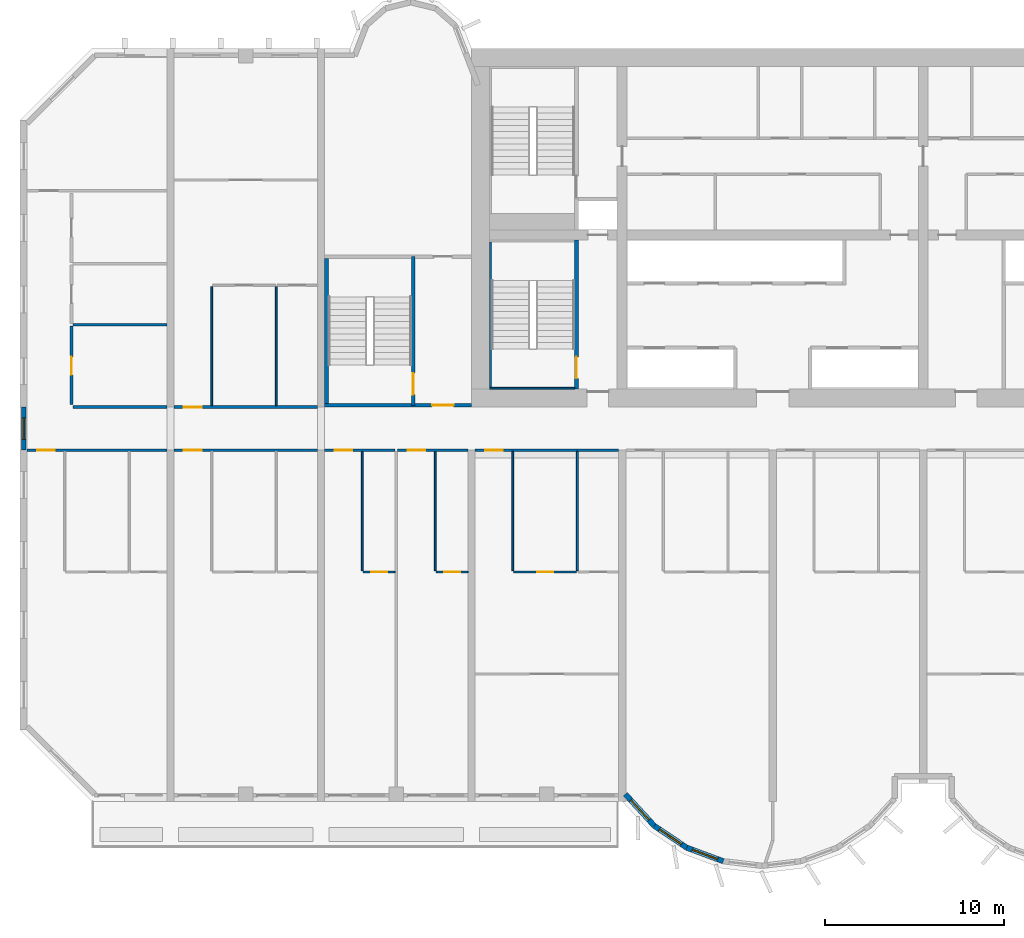
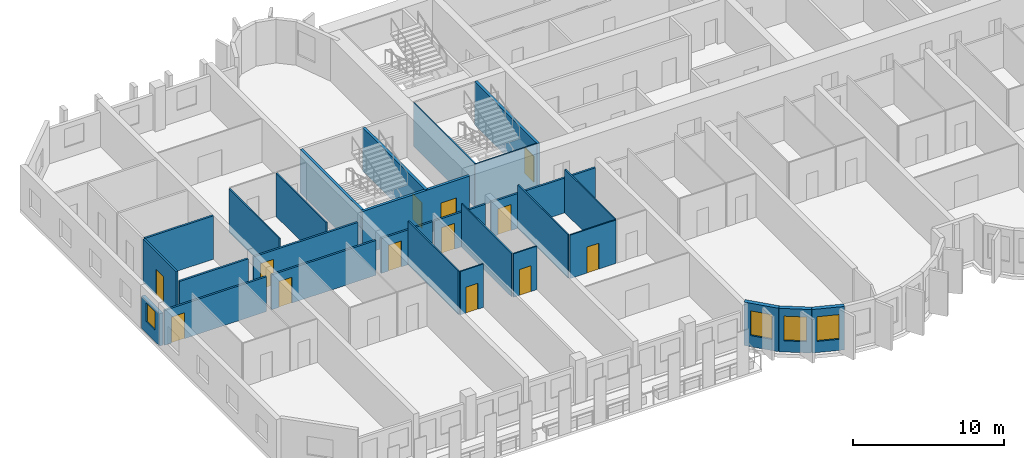
# One storey, part 3 of 15: 28 walls, 13 doors, 4 windows, 17 openings.
"""IFC4 building model written with IfcOpenShell, lengths in metres."""

from ifc_helpers import new_model, si_unit, direction, frame, frame_2d, origin, place, context, subcontext, project, spatial, rectangle, extrude, source, transform, mapped, material, layer, layer_set, type_object, element, fill, save


model = new_model("IFC4")

# Units and contexts
model_context = context("Model", 3, precision=1e-05, world=origin(), true_north=direction((0.0, 1.0)))
body_context = subcontext(model_context, "Body", "Model", "MODEL_VIEW")
ifc_project = project(units=[si_unit("LENGTHUNIT", "METRE"), si_unit("AREAUNIT", "SQUARE_METRE"), si_unit("VOLUMEUNIT", "CUBIC_METRE"), si_unit("PLANEANGLEUNIT", "RADIAN"), si_unit("MASSUNIT", "GRAM", prefix="KILO")], contexts=[model_context])

# Site, building, storey
site_placement = place(None, origin())
site = spatial("IfcSite", under=ifc_project, at=site_placement, CompositionType="ELEMENT")
building_placement = place(site_placement, origin())
building = spatial("IfcBuilding", under=site, at=building_placement, Name="Vanashikhar Sky Hotel", CompositionType="ELEMENT")
storey_placement = place(building_placement, frame((0.0, 0.0, 65.800048828125)))
storey = spatial("IfcBuildingStorey", under=building, at=storey_placement, Name="L15", CompositionType="ELEMENT", Elevation=65.800048828125)

# Wall, opening, window
ifc_material_1 = material(Name="Concrete M50", Category="concrete")
ifc_layer_1 = layer(ifc_material_1, 0.300048828125)
ifc_layer_set_1 = layer_set([ifc_layer_1], Name="Lobe wall 300")
wall_type_1 = type_object("IfcWallType", Name="Lobe wall 300", PredefinedType="SOLIDWALL", material=ifc_layer_set_1)
shared_shape_1 = source(origin(), body_context, "Body", "SweptSolid", [
    extrude(rectangle(XDim=2.398193359375, YDim=0.300048828125, at=frame_2d((1.19921875, 0.0))), origin(), (0.0, 0.0, 1.0), 3.52001953125),
])
wall_1_placement = place(storey_placement, frame((33.776123046875, 0.39990234375, 0.0), z_axis=(0.0, 0.0, 1.0), x_axis=(0.675374189419, -0.737475222815, 0.0)))
wall_1 = element("IfcWall", 1, at=wall_1_placement, inside=storey, type_object=wall_type_1, Name="Lobe wall", PredefinedType="SOLIDWALL", context=body_context, shape_type="MappedRepresentation", body=[
    mapped(shared_shape_1, transform((0.0, 0.0, 0.0), scale=1.0)),
])
shared_shape_2 = source(origin(), body_context, "Body", "SweptSolid", [
    extrude(rectangle(XDim=1.5, YDim=2.0, at=frame_2d((0.75, 1.0))), frame((0.0, 0.16015625, 0.0), z_axis=(0.0, -1.0, 0.0), x_axis=(1.0, 0.0, 0.0)), (0.0, 0.0, 1.0), 0.320068359375),
])
opening_1_placement = place(wall_1_placement, frame((0.44921875, 0.0, 0.89990234375)))
opening_1 = element("IfcOpeningElement", 2, at=opening_1_placement, cuts=wall_1, Name="Opening WN-2", PredefinedType="OPENING", context=body_context, shape_type="MappedRepresentation", body=[
    mapped(shared_shape_2, transform((0.0, 0.0, 0.0), scale=1.0)),
])
ifc_material_2 = material(Name="Glass", Category="glass")
window_type_1 = type_object("IfcWindowType", Name="Lobe window 1500 x 2000", PartitioningType="SINGLE_PANEL", PredefinedType="WINDOW", material=ifc_material_2)
shared_shape_3 = source(origin(), body_context, "Body", "SweptSolid", [
    extrude(rectangle(XDim=1.5, YDim=2.0, at=frame_2d((0.75, 1.0))), frame((0.0, 0.030029296875, 0.0), z_axis=(0.0, -1.0, 0.0), x_axis=(1.0, 0.0, 0.0)), (0.0, 0.0, 1.0), 0.06005859375),
])
window_1_placement = place(opening_1_placement, origin())
window_1 = element("IfcWindow", 3, at=window_1_placement, inside=storey, type_object=window_type_1, Name="Window WN-2", OverallHeight=2.0, OverallWidth=1.5, PartitioningType="SINGLE_PANEL", PredefinedType="WINDOW", context=body_context, shape_type="MappedRepresentation", body=[
    mapped(shared_shape_3, transform((0.0, 0.0, 0.0), scale=1.0)),
])
fill(opening_1, window_1)

shared_shape_4 = source(origin(), body_context, "Body", "SweptSolid", [
    extrude(rectangle(XDim=2.17578125, YDim=0.300048828125, at=frame_2d((1.087890625, 0.0))), origin(), (0.0, 0.0, 1.0), 3.52001953125),
])
wall_2_placement = place(storey_placement, frame((35.395751953125, -1.36865234375, 0.0), z_axis=(0.0, 0.0, 1.0), x_axis=(0.829590746428, -0.558371913192, 0.0)))
wall_2 = element("IfcWall", 4, at=wall_2_placement, inside=storey, type_object=wall_type_1, Name="Lobe wall", PredefinedType="SOLIDWALL", context=body_context, shape_type="MappedRepresentation", body=[
    mapped(shared_shape_4, transform((0.0, 0.0, 0.0), scale=1.0)),
])
opening_2_placement = place(wall_2_placement, frame((0.337890625, 0.0, 0.89990234375)))
opening_2 = element("IfcOpeningElement", 5, at=opening_2_placement, cuts=wall_2, Name="Opening WN-2", PredefinedType="OPENING", context=body_context, shape_type="MappedRepresentation", body=[
    mapped(shared_shape_2, transform((0.0, 0.0, 0.0), scale=1.0)),
])
window_2_placement = place(opening_2_placement, origin())
window_2 = element("IfcWindow", 6, at=window_2_placement, inside=storey, type_object=window_type_1, Name="Window WN-2", OverallHeight=2.0, OverallWidth=1.5, PartitioningType="SINGLE_PANEL", PredefinedType="WINDOW", context=body_context, shape_type="MappedRepresentation", body=[
    mapped(shared_shape_3, transform((0.0, 0.0, 0.0), scale=1.0)),
])
fill(opening_2, window_2)

wall_3_placement = place(storey_placement, frame((37.20068359375, -2.58349609375, 0.0), z_axis=(0.0, 0.0, 1.0), x_axis=(0.93754555999, -0.347862505801, 0.0)))
wall_3 = element("IfcWall", 7, at=wall_3_placement, inside=storey, type_object=wall_type_1, Name="Lobe wall", PredefinedType="SOLIDWALL", context=body_context, shape_type="MappedRepresentation", body=[
    mapped(shared_shape_4, transform((0.0, 0.0, 0.0), scale=1.0)),
])
opening_3_placement = place(wall_3_placement, frame((0.337890625, 0.0, 0.89990234375)))
opening_3 = element("IfcOpeningElement", 8, at=opening_3_placement, cuts=wall_3, Name="Opening WN-2", PredefinedType="OPENING", context=body_context, shape_type="MappedRepresentation", body=[
    mapped(shared_shape_2, transform((0.0, 0.0, 0.0), scale=1.0)),
])
window_3_placement = place(opening_3_placement, origin())
window_3 = element("IfcWindow", 9, at=window_3_placement, inside=storey, type_object=window_type_1, Name="Window WN-2", OverallHeight=2.0, OverallWidth=1.5, PartitioningType="SINGLE_PANEL", PredefinedType="WINDOW", context=body_context, shape_type="MappedRepresentation", body=[
    mapped(shared_shape_3, transform((0.0, 0.0, 0.0), scale=1.0)),
])
fill(opening_3, window_3)

ifc_layer_2 = layer(ifc_material_1, 0.25)
ifc_layer_set_2 = layer_set([ifc_layer_2], Name="Rear and end board-marked wall 250")
wall_type_2 = type_object("IfcWallType", Name="Rear and end board-marked wall 250", PredefinedType="SOLIDWALL", material=ifc_layer_set_2)
shared_shape_5 = source(origin(), body_context, "Body", "SweptSolid", [
    extrude(rectangle(XDim=2.39990234375, YDim=0.25, at=frame_2d((1.199951171875, 0.0))), origin(), (0.0, 0.0, 1.0), 2.619873046875),
])
wall_4_placement = place(storey_placement, frame((0.199951171875, 19.60009765625, 0.0), z_axis=(0.0, 0.0, 1.0), x_axis=(0.0, 1.0, 0.0)))
wall_4 = element("IfcWall", 10, at=wall_4_placement, inside=storey, type_object=wall_type_2, Name="End corridor infill wall", PredefinedType="SOLIDWALL", context=body_context, shape_type="MappedRepresentation", body=[
    mapped(shared_shape_5, transform((0.0, 0.0, 0.0), scale=1.0)),
])
shared_shape_6 = source(origin(), body_context, "Body", "SweptSolid", [
    extrude(rectangle(XDim=1.199951171875, YDim=1.5, at=frame_2d((0.60009765625, 0.75))), frame((0.0, 0.135009765625, 0.0), z_axis=(0.0, -1.0, 0.0), x_axis=(1.0, 0.0, 0.0)), (0.0, 0.0, 1.0), 0.27001953125),
])
opening_4_placement = place(wall_4_placement, frame((0.60009765625, 0.0, 0.89990234375)))
opening_4 = element("IfcOpeningElement", 11, at=opening_4_placement, cuts=wall_4, Name="Opening WN-3", PredefinedType="OPENING", context=body_context, shape_type="MappedRepresentation", body=[
    mapped(shared_shape_6, transform((0.0, 0.0, 0.0), scale=1.0)),
])
window_type_2 = type_object("IfcWindowType", Name="Corridor end window 1200 x 1500", PartitioningType="SINGLE_PANEL", PredefinedType="WINDOW", material=ifc_material_2)
shared_shape_7 = source(origin(), body_context, "Body", "SweptSolid", [
    extrude(rectangle(XDim=1.199951171875, YDim=1.5, at=frame_2d((0.60009765625, 0.75))), frame((0.0, 0.030029296875, 0.0), z_axis=(0.0, -1.0, 0.0), x_axis=(1.0, 0.0, 0.0)), (0.0, 0.0, 1.0), 0.06005859375),
])
window_4_placement = place(opening_4_placement, origin())
window_4 = element("IfcWindow", 12, at=window_4_placement, inside=storey, type_object=window_type_2, Name="Window WN-3", OverallHeight=1.5, OverallWidth=1.199951171875, PartitioningType="SINGLE_PANEL", PredefinedType="WINDOW", context=body_context, shape_type="MappedRepresentation", body=[
    mapped(shared_shape_7, transform((0.0, 0.0, 0.0), scale=1.0)),
])
fill(opening_4, window_4)

# Wall, opening, door
ifc_layer_3 = layer(ifc_material_1, 0.199951171875)
ifc_layer_set_3 = layer_set([ifc_layer_3], Name="Stair wall 200")
wall_type_3 = type_object("IfcWallType", Name="Stair wall 200", PredefinedType="SOLIDWALL", material=ifc_layer_set_3)
shared_shape_8 = source(origin(), body_context, "Body", "SweptSolid", [
    extrude(rectangle(XDim=8.199951171875, YDim=0.199951171875, at=frame_2d((4.10009765625, 0.0))), origin(), (0.0, 0.0, 1.0), 3.52001953125),
])
wall_5_placement = place(storey_placement, frame((17.0, 22.10009765625, 0.0), z_axis=(0.0, 0.0, 1.0), x_axis=(1.0, 0.0, 0.0)))
wall_5 = element("IfcWall", 13, at=wall_5_placement, inside=storey, type_object=wall_type_3, Name="Stair wall 200", PredefinedType="SOLIDWALL", context=body_context, shape_type="MappedRepresentation", body=[
    mapped(shared_shape_8, transform((0.0, 0.0, 0.0), scale=1.0)),
])
shared_shape_9 = source(origin(), body_context, "Body", "SweptSolid", [
    extrude(rectangle(XDim=1.199951171875, YDim=2.10009765625, at=frame_2d((0.60009765625, 1.050048828125))), frame((0.0, 0.10986328125, 0.0), z_axis=(0.0, -1.0, 0.0), x_axis=(1.0, 0.0, 0.0)), (0.0, 0.0, 1.0), 0.219970703125),
])
opening_5_placement = place(wall_5_placement, frame((6.0, 0.0, 0.0)))
opening_5 = element("IfcOpeningElement", 14, at=opening_5_placement, cuts=wall_5, Name="Opening DC-2", PredefinedType="OPENING", context=body_context, shape_type="MappedRepresentation", body=[
    mapped(shared_shape_9, transform((0.0, 0.0, 0.0), scale=1.0)),
])
ifc_material_3 = material(Name="Steel", Category="steel")
door_type_1 = type_object("IfcDoorType", Name="Firefighting lobby door 1200 FD120", OperationType="NOTDEFINED", PredefinedType="DOOR", material=ifc_material_3)
shared_shape_10 = source(origin(), body_context, "Body", "SweptSolid", [
    extrude(rectangle(XDim=1.199951171875, YDim=2.10009765625, at=frame_2d((0.60009765625, 1.050048828125))), frame((0.0, 0.02490234375, 0.0), z_axis=(0.0, -1.0, 0.0), x_axis=(1.0, 0.0, 0.0)), (0.0, 0.0, 1.0), 0.050048828125),
])
door_1_placement = place(opening_5_placement, origin())
door_1 = element("IfcDoor", 15, at=door_1_placement, inside=storey, type_object=door_type_1, Name="Firefighting lobby door 1200 FD120", OperationType="SINGLE_SWING_LEFT", OverallHeight=2.10009765625, OverallWidth=1.199951171875, PredefinedType="DOOR", context=body_context, shape_type="MappedRepresentation", body=[
    mapped(shared_shape_10, transform((0.0, 0.0, 0.0), scale=1.0)),
])
fill(opening_5, door_1)

shared_shape_11 = source(origin(), body_context, "Body", "SweptSolid", [
    extrude(rectangle(XDim=8.2998046875, YDim=0.199951171875, at=frame_2d((4.14990234375, 0.0))), origin(), (0.0, 0.0, 1.0), 3.52001953125),
])
wall_6_placement = place(storey_placement, frame((21.949951171875, 22.10009765625, 0.0), z_axis=(0.0, 0.0, 1.0), x_axis=(0.0, 1.0, 0.0)))
wall_6 = element("IfcWall", 16, at=wall_6_placement, inside=storey, type_object=wall_type_3, Name="Stair wall 200", PredefinedType="SOLIDWALL", context=body_context, shape_type="MappedRepresentation", body=[
    mapped(shared_shape_11, transform((0.0, 0.0, 0.0), scale=1.0)),
])
opening_6_placement = place(wall_6_placement, frame((0.60009765625, 0.0, 0.0)))
opening_6 = element("IfcOpeningElement", 17, at=opening_6_placement, cuts=wall_6, Name="Opening DC-1", PredefinedType="OPENING", context=body_context, shape_type="MappedRepresentation", body=[
    mapped(shared_shape_9, transform((0.0, 0.0, 0.0), scale=1.0)),
])
door_type_2 = type_object("IfcDoorType", Name="Stair door 1200 FD120", OperationType="NOTDEFINED", PredefinedType="DOOR", material=ifc_material_3)
door_2_placement = place(opening_6_placement, origin())
door_2 = element("IfcDoor", 18, at=door_2_placement, inside=storey, type_object=door_type_2, Name="Stair door 1200 FD120", OperationType="SINGLE_SWING_RIGHT", OverallHeight=2.10009765625, OverallWidth=1.199951171875, PredefinedType="DOOR", context=body_context, shape_type="MappedRepresentation", body=[
    mapped(shared_shape_10, transform((0.0, 0.0, 0.0), scale=1.0)),
])
fill(opening_6, door_2)

# Walls
ifc_layer_4 = layer(ifc_material_1, 0.10009765625)
ifc_layer_set_4 = layer_set([ifc_layer_4], Name="Stair infill wall 100")
wall_type_4 = type_object("IfcWallType", Name="Stair infill wall 100", PredefinedType="SOLIDWALL", material=ifc_layer_set_4)
shared_shape_12 = source(origin(), body_context, "Body", "SweptSolid", [
    extrude(rectangle(XDim=4.75, YDim=0.10009765625, at=frame_2d((2.375, 0.0))), origin(), (0.0, 0.0, 1.0), 3.52001953125),
])
wall_7_placement = place(storey_placement, frame((26.199951171875, 23.050048828125, 0.0), z_axis=(0.0, 0.0, 1.0), x_axis=(1.0, 0.0, 0.0)))
element("IfcWall", 19, at=wall_7_placement, inside=storey, type_object=wall_type_4, Name="Stair infill wall 100", PredefinedType="SOLIDWALL", context=body_context, shape_type="MappedRepresentation", body=[
    mapped(shared_shape_12, transform((0.0, 0.0, 0.0), scale=1.0)),
])
shared_shape_13 = source(origin(), body_context, "Body", "SweptSolid", [
    extrude(rectangle(XDim=8.099853515625, YDim=0.10009765625, at=frame_2d((4.0498046875, 0.0))), origin(), (0.0, 0.0, 1.0), 3.52001953125),
])
wall_8_placement = place(storey_placement, frame((26.25, 23.10009765625, 0.0), z_axis=(0.0, 0.0, 1.0), x_axis=(0.0, 1.0, 0.0)))
element("IfcWall", 20, at=wall_8_placement, inside=storey, type_object=wall_type_4, Name="Stair infill wall 100", PredefinedType="SOLIDWALL", context=body_context, shape_type="MappedRepresentation", body=[
    mapped(shared_shape_13, transform((0.0, 0.0, 0.0), scale=1.0)),
])

# Wall, opening, door
shared_shape_14 = source(origin(), body_context, "Body", "SweptSolid", [
    extrude(rectangle(XDim=8.324951171875, YDim=0.199951171875, at=frame_2d((4.16259765625, 0.0))), origin(), (0.0, 0.0, 1.0), 3.52001953125),
])
wall_9_placement = place(storey_placement, frame((31.050048828125, 23.0, 0.0), z_axis=(0.0, 0.0, 1.0), x_axis=(0.0, 1.0, 0.0)))
wall_9 = element("IfcWall", 21, at=wall_9_placement, inside=storey, type_object=wall_type_3, Name="Stair wall 200", PredefinedType="SOLIDWALL", context=body_context, shape_type="MappedRepresentation", body=[
    mapped(shared_shape_14, transform((0.0, 0.0, 0.0), scale=1.0)),
])
opening_7_placement = place(wall_9_placement, frame((0.60009765625, 0.0, 0.0)))
opening_7 = element("IfcOpeningElement", 22, at=opening_7_placement, cuts=wall_9, Name="Opening DC-1", PredefinedType="OPENING", context=body_context, shape_type="MappedRepresentation", body=[
    mapped(shared_shape_9, transform((0.0, 0.0, 0.0), scale=1.0)),
])
door_3_placement = place(opening_7_placement, origin())
door_3 = element("IfcDoor", 23, at=door_3_placement, inside=storey, type_object=door_type_2, Name="Stair door 1200 FD120", OperationType="SINGLE_SWING_RIGHT", OverallHeight=2.10009765625, OverallWidth=1.199951171875, PredefinedType="DOOR", context=body_context, shape_type="MappedRepresentation", body=[
    mapped(shared_shape_10, transform((0.0, 0.0, 0.0), scale=1.0)),
])
fill(opening_7, door_3)

# Wall
ifc_layer_5 = layer(ifc_material_1, 0.199951171875)
ifc_layer_set_5 = layer_set([ifc_layer_5], Name="Stair infill wall 200")
wall_type_5 = type_object("IfcWallType", Name="Stair infill wall 200", PredefinedType="SOLIDWALL", material=ifc_layer_set_5)
shared_shape_15 = source(origin(), body_context, "Body", "SweptSolid", [
    extrude(rectangle(XDim=8.10009765625, YDim=0.199951171875, at=frame_2d((4.050048828125, 0.0))), origin(), (0.0, 0.0, 1.0), 3.52001953125),
])
wall_10_placement = place(storey_placement, frame((17.10009765625, 22.199951171875, 0.0), z_axis=(0.0, 0.0, 1.0), x_axis=(0.0, 1.0, 0.0)))
element("IfcWall", 24, at=wall_10_placement, inside=storey, type_object=wall_type_5, Name="Stair infill wall 200", PredefinedType="SOLIDWALL", context=body_context, shape_type="MappedRepresentation", body=[
    mapped(shared_shape_15, transform((0.0, 0.0, 0.0), scale=1.0)),
])

# Wall, opening, door
ifc_material_4 = material(Name="Gypsum plasterboard partition")
ifc_layer_6 = layer(ifc_material_4, 0.14990234375)
ifc_layer_set_6 = layer_set([ifc_layer_6], Name="Corridor and demising partition 150")
wall_type_6 = type_object("IfcWallType", Name="Corridor and demising partition 150", PredefinedType="PARTITIONING", material=ifc_layer_set_6)
shared_shape_16 = source(origin(), body_context, "Body", "SweptSolid", [
    extrude(rectangle(XDim=4.375, YDim=0.14990234375, at=frame_2d((2.1875, 0.0))), origin(), (0.0, 0.0, 1.0), 3.52001953125),
])
wall_11_placement = place(storey_placement, frame((2.875, 22.14990234375, 0.0), z_axis=(0.0, 0.0, 1.0), x_axis=(0.0, 1.0, 0.0)))
wall_11 = element("IfcWall", 25, at=wall_11_placement, inside=storey, type_object=wall_type_6, Name="W-L15-PW071", PredefinedType="PARTITIONING", context=body_context, shape_type="MappedRepresentation", body=[
    mapped(shared_shape_16, transform((0.0, 0.0, 0.0), scale=1.0)),
])
shared_shape_17 = source(origin(), body_context, "Body", "SweptSolid", [
    extrude(rectangle(XDim=1.0, YDim=2.10009765625, at=frame_2d((0.5, 1.050048828125))), frame((0.0, 0.0849609375, 0.0), z_axis=(0.0, -1.0, 0.0), x_axis=(1.0, 0.0, 0.0)), (0.0, 0.0, 1.0), 0.169921875),
])
opening_8_placement = place(wall_11_placement, frame((1.64990234375, 0.0, 0.0)))
opening_8 = element("IfcOpeningElement", 26, at=opening_8_placement, cuts=wall_11, Name="Opening D-01", PredefinedType="OPENING", context=body_context, shape_type="MappedRepresentation", body=[
    mapped(shared_shape_17, transform((0.0, 0.0, 0.0), scale=1.0)),
])
ifc_material_5 = material(Name="Timber fire door", Category="wood")
door_type_3 = type_object("IfcDoorType", Name="Guest entry door 1000 FD30S", OperationType="NOTDEFINED", PredefinedType="DOOR", material=ifc_material_5)
shared_shape_18 = source(origin(), body_context, "Body", "SweptSolid", [
    extrude(rectangle(XDim=1.0, YDim=2.10009765625, at=frame_2d((0.5, 1.050048828125))), frame((0.0, 0.02490234375, 0.0), z_axis=(0.0, -1.0, 0.0), x_axis=(1.0, 0.0, 0.0)), (0.0, 0.0, 1.0), 0.050048828125),
])
door_4_placement = place(opening_8_placement, origin())
door_4 = element("IfcDoor", 27, at=door_4_placement, inside=storey, type_object=door_type_3, Name="D-L15-043", OperationType="SINGLE_SWING_LEFT", OverallHeight=2.10009765625, OverallWidth=1.0, PredefinedType="DOOR", context=body_context, shape_type="MappedRepresentation", body=[
    mapped(shared_shape_18, transform((0.0, 0.0, 0.0), scale=1.0)),
])
fill(opening_8, door_4)

ifc_layer_7 = layer(ifc_material_4, 0.10009765625)
ifc_layer_set_7 = layer_set([ifc_layer_7], Name="Wet room partition 100")
wall_type_7 = type_object("IfcWallType", Name="Wet room partition 100", PredefinedType="PARTITIONING", material=ifc_layer_set_7)
shared_shape_19 = source(origin(), body_context, "Body", "SweptSolid", [
    extrude(rectangle(XDim=3.5, YDim=0.10009765625, at=frame_2d((1.75, 0.0))), origin(), (0.0, 0.0, 1.0), 3.52001953125),
])
wall_12_placement = place(storey_placement, frame((27.550048828125, 12.800048828125, 0.0), z_axis=(0.0, 0.0, 1.0), x_axis=(1.0, 0.0, 0.0)))
wall_12 = element("IfcWall", 28, at=wall_12_placement, inside=storey, type_object=wall_type_7, Name="W-L15-PW020", PredefinedType="PARTITIONING", context=body_context, shape_type="MappedRepresentation", body=[
    mapped(shared_shape_19, transform((0.0, 0.0, 0.0), scale=1.0)),
])
shared_shape_20 = source(origin(), body_context, "Body", "SweptSolid", [
    extrude(rectangle(XDim=0.89990234375, YDim=2.10009765625, at=frame_2d((0.449951171875, 1.050048828125))), frame((0.0, 0.06005859375, 0.0), z_axis=(0.0, -1.0, 0.0), x_axis=(1.0, 0.0, 0.0)), (0.0, 0.0, 1.0), 0.1201171875),
])
opening_9_placement = place(wall_12_placement, frame((1.300048828125, 0.0, 0.0)))
opening_9 = element("IfcOpeningElement", 29, at=opening_9_placement, cuts=wall_12, Name="Opening D-02", PredefinedType="OPENING", context=body_context, shape_type="MappedRepresentation", body=[
    mapped(shared_shape_20, transform((0.0, 0.0, 0.0), scale=1.0)),
])
ifc_material_6 = material(Name="Timber door", Category="wood")
door_type_4 = type_object("IfcDoorType", Name="Internal door 900", OperationType="NOTDEFINED", PredefinedType="DOOR", material=ifc_material_6)
shared_shape_21 = source(origin(), body_context, "Body", "SweptSolid", [
    extrude(rectangle(XDim=0.89990234375, YDim=2.10009765625, at=frame_2d((0.449951171875, 1.050048828125))), frame((0.0, 0.02490234375, 0.0), z_axis=(0.0, -1.0, 0.0), x_axis=(1.0, 0.0, 0.0)), (0.0, 0.0, 1.0), 0.050048828125),
])
door_5_placement = place(opening_9_placement, origin())
door_5 = element("IfcDoor", 30, at=door_5_placement, inside=storey, type_object=door_type_4, Name="D-L15-011", OperationType="SINGLE_SWING_LEFT", OverallHeight=2.10009765625, OverallWidth=0.89990234375, PredefinedType="DOOR", context=body_context, shape_type="MappedRepresentation", body=[
    mapped(shared_shape_21, transform((0.0, 0.0, 0.0), scale=1.0)),
])
fill(opening_9, door_5)

shared_shape_22 = source(origin(), body_context, "Body", "SweptSolid", [
    extrude(rectangle(XDim=7.800048828125, YDim=0.14990234375, at=frame_2d((3.89990234375, 0.0))), origin(), (0.0, 0.0, 1.0), 2.820068359375),
])
wall_13_placement = place(storey_placement, frame((0.39990234375, 19.60009765625, 0.0), z_axis=(0.0, 0.0, 1.0), x_axis=(1.0, 0.0, 0.0)))
wall_13 = element("IfcWall", 31, at=wall_13_placement, inside=storey, type_object=wall_type_6, Name="W-L15-PW005", PredefinedType="PARTITIONING", context=body_context, shape_type="MappedRepresentation", body=[
    mapped(shared_shape_22, transform((0.0, 0.0, 0.0), scale=1.0)),
])
opening_10_placement = place(wall_13_placement, frame((0.550048828125, 0.0, 0.0)))
opening_10 = element("IfcOpeningElement", 32, at=opening_10_placement, cuts=wall_13, Name="Opening D-01", PredefinedType="OPENING", context=body_context, shape_type="MappedRepresentation", body=[
    mapped(shared_shape_17, transform((0.0, 0.0, 0.0), scale=1.0)),
])
door_6_placement = place(opening_10_placement, origin())
door_6 = element("IfcDoor", 33, at=door_6_placement, inside=storey, type_object=door_type_3, Name="D-L15-003", OperationType="SINGLE_SWING_LEFT", OverallHeight=2.10009765625, OverallWidth=1.0, PredefinedType="DOOR", context=body_context, shape_type="MappedRepresentation", body=[
    mapped(shared_shape_18, transform((0.0, 0.0, 0.0), scale=1.0)),
])
fill(opening_10, door_6)

shared_shape_23 = source(origin(), body_context, "Body", "SweptSolid", [
    extrude(rectangle(XDim=3.925048828125, YDim=0.14990234375, at=frame_2d((1.96240234375, 0.0))), origin(), (0.0, 0.0, 1.0), 2.820068359375),
])
wall_14_placement = place(storey_placement, frame((17.0, 19.60009765625, 0.0), z_axis=(0.0, 0.0, 1.0), x_axis=(1.0, 0.0, 0.0)))
wall_14 = element("IfcWall", 34, at=wall_14_placement, inside=storey, type_object=wall_type_6, Name="W-L15-PW013", PredefinedType="PARTITIONING", context=body_context, shape_type="MappedRepresentation", body=[
    mapped(shared_shape_23, transform((0.0, 0.0, 0.0), scale=1.0)),
])
opening_11_placement = place(wall_14_placement, frame((0.550048828125, 0.0, 0.0)))
opening_11 = element("IfcOpeningElement", 35, at=opening_11_placement, cuts=wall_14, Name="Opening D-01", PredefinedType="OPENING", context=body_context, shape_type="MappedRepresentation", body=[
    mapped(shared_shape_17, transform((0.0, 0.0, 0.0), scale=1.0)),
])
door_7_placement = place(opening_11_placement, origin())
door_7 = element("IfcDoor", 36, at=door_7_placement, inside=storey, type_object=door_type_3, Name="D-L15-008", OperationType="SINGLE_SWING_LEFT", OverallHeight=2.10009765625, OverallWidth=1.0, PredefinedType="DOOR", context=body_context, shape_type="MappedRepresentation", body=[
    mapped(shared_shape_18, transform((0.0, 0.0, 0.0), scale=1.0)),
])
fill(opening_11, door_7)

wall_15_placement = place(storey_placement, frame((21.074951171875, 19.60009765625, 0.0), z_axis=(0.0, 0.0, 1.0), x_axis=(1.0, 0.0, 0.0)))
wall_15 = element("IfcWall", 37, at=wall_15_placement, inside=storey, type_object=wall_type_6, Name="W-L15-PW016", PredefinedType="PARTITIONING", context=body_context, shape_type="MappedRepresentation", body=[
    mapped(shared_shape_23, transform((0.0, 0.0, 0.0), scale=1.0)),
])
opening_12_placement = place(wall_15_placement, frame((0.550048828125, 0.0, 0.0)))
opening_12 = element("IfcOpeningElement", 38, at=opening_12_placement, cuts=wall_15, Name="Opening D-01", PredefinedType="OPENING", context=body_context, shape_type="MappedRepresentation", body=[
    mapped(shared_shape_17, transform((0.0, 0.0, 0.0), scale=1.0)),
])
door_8_placement = place(opening_12_placement, origin())
door_8 = element("IfcDoor", 39, at=door_8_placement, inside=storey, type_object=door_type_3, Name="D-L15-010", OperationType="SINGLE_SWING_LEFT", OverallHeight=2.10009765625, OverallWidth=1.0, PredefinedType="DOOR", context=body_context, shape_type="MappedRepresentation", body=[
    mapped(shared_shape_18, transform((0.0, 0.0, 0.0), scale=1.0)),
])
fill(opening_12, door_8)

shared_shape_24 = source(origin(), body_context, "Body", "SweptSolid", [
    extrude(rectangle(XDim=8.0, YDim=0.14990234375, at=frame_2d((4.0, 0.0))), origin(), (0.0, 0.0, 1.0), 2.820068359375),
])
wall_16_placement = place(storey_placement, frame((8.60009765625, 19.60009765625, 0.0), z_axis=(0.0, 0.0, 1.0), x_axis=(1.0, 0.0, 0.0)))
wall_16 = element("IfcWall", 40, at=wall_16_placement, inside=storey, type_object=wall_type_6, Name="W-L15-PW010", PredefinedType="PARTITIONING", context=body_context, shape_type="MappedRepresentation", body=[
    mapped(shared_shape_24, transform((0.0, 0.0, 0.0), scale=1.0)),
])
opening_13_placement = place(wall_16_placement, frame((0.550048828125, 0.0, 0.0)))
opening_13 = element("IfcOpeningElement", 41, at=opening_13_placement, cuts=wall_16, Name="Opening D-01", PredefinedType="OPENING", context=body_context, shape_type="MappedRepresentation", body=[
    mapped(shared_shape_17, transform((0.0, 0.0, 0.0), scale=1.0)),
])
door_9_placement = place(opening_13_placement, origin())
door_9 = element("IfcDoor", 42, at=door_9_placement, inside=storey, type_object=door_type_3, Name="D-L15-006", OperationType="SINGLE_SWING_LEFT", OverallHeight=2.10009765625, OverallWidth=1.0, PredefinedType="DOOR", context=body_context, shape_type="MappedRepresentation", body=[
    mapped(shared_shape_18, transform((0.0, 0.0, 0.0), scale=1.0)),
])
fill(opening_13, door_9)

wall_17_placement = place(storey_placement, frame((25.39990234375, 19.60009765625, 0.0), z_axis=(0.0, 0.0, 1.0), x_axis=(1.0, 0.0, 0.0)))
wall_17 = element("IfcWall", 43, at=wall_17_placement, inside=storey, type_object=wall_type_6, Name="W-L15-PW023", PredefinedType="PARTITIONING", context=body_context, shape_type="MappedRepresentation", body=[
    mapped(shared_shape_24, transform((0.0, 0.0, 0.0), scale=1.0)),
])
opening_14_placement = place(wall_17_placement, frame((0.550048828125, 0.0, 0.0)))
opening_14 = element("IfcOpeningElement", 44, at=opening_14_placement, cuts=wall_17, Name="Opening D-01", PredefinedType="OPENING", context=body_context, shape_type="MappedRepresentation", body=[
    mapped(shared_shape_17, transform((0.0, 0.0, 0.0), scale=1.0)),
])
door_10_placement = place(opening_14_placement, origin())
door_10 = element("IfcDoor", 45, at=door_10_placement, inside=storey, type_object=door_type_3, Name="D-L15-014", OperationType="SINGLE_SWING_LEFT", OverallHeight=2.10009765625, OverallWidth=1.0, PredefinedType="DOOR", context=body_context, shape_type="MappedRepresentation", body=[
    mapped(shared_shape_18, transform((0.0, 0.0, 0.0), scale=1.0)),
])
fill(opening_14, door_10)

wall_18_placement = place(storey_placement, frame((8.60009765625, 22.0, 0.0), z_axis=(0.0, 0.0, 1.0), x_axis=(1.0, 0.0, 0.0)))
wall_18 = element("IfcWall", 46, at=wall_18_placement, inside=storey, type_object=wall_type_6, Name="W-L15-PW082", PredefinedType="PARTITIONING", context=body_context, shape_type="MappedRepresentation", body=[
    mapped(shared_shape_24, transform((0.0, 0.0, 0.0), scale=1.0)),
])
opening_15_placement = place(wall_18_placement, frame((0.550048828125, 0.0, 0.0)))
opening_15 = element("IfcOpeningElement", 47, at=opening_15_placement, cuts=wall_18, Name="Opening D-01", PredefinedType="OPENING", context=body_context, shape_type="MappedRepresentation", body=[
    mapped(shared_shape_17, transform((0.0, 0.0, 0.0), scale=1.0)),
])
door_11_placement = place(opening_15_placement, origin())
door_11 = element("IfcDoor", 48, at=door_11_placement, inside=storey, type_object=door_type_3, Name="D-L15-050", OperationType="SINGLE_SWING_LEFT", OverallHeight=2.10009765625, OverallWidth=1.0, PredefinedType="DOOR", context=body_context, shape_type="MappedRepresentation", body=[
    mapped(shared_shape_18, transform((0.0, 0.0, 0.0), scale=1.0)),
])
fill(opening_15, door_11)

# Walls
shared_shape_25 = source(origin(), body_context, "Body", "SweptSolid", [
    extrude(rectangle(XDim=5.25, YDim=0.14990234375, at=frame_2d((2.625, 0.0))), origin(), (0.0, 0.0, 1.0), 2.820068359375),
])
wall_19_placement = place(storey_placement, frame((2.949951171875, 22.0, 0.0), z_axis=(0.0, 0.0, 1.0), x_axis=(1.0, 0.0, 0.0)))
element("IfcWall", 49, at=wall_19_placement, inside=storey, type_object=wall_type_6, Name="W-L15-PW070", PredefinedType="PARTITIONING", context=body_context, shape_type="MappedRepresentation", body=[
    mapped(shared_shape_25, transform((0.0, 0.0, 0.0), scale=1.0)),
])
shared_shape_26 = source(origin(), body_context, "Body", "SweptSolid", [
    extrude(rectangle(XDim=5.25, YDim=0.14990234375, at=frame_2d((2.625, 0.0))), origin(), (0.0, 0.0, 1.0), 3.52001953125),
])
wall_20_placement = place(storey_placement, frame((2.949951171875, 26.60009765625, 0.0), z_axis=(0.0, 0.0, 1.0), x_axis=(1.0, 0.0, 0.0)))
element("IfcWall", 50, at=wall_20_placement, inside=storey, type_object=wall_type_6, Name="W-L15-PW072", PredefinedType="PARTITIONING", context=body_context, shape_type="MappedRepresentation", body=[
    mapped(shared_shape_26, transform((0.0, 0.0, 0.0), scale=1.0)),
])
shared_shape_27 = source(origin(), body_context, "Body", "SweptSolid", [
    extrude(rectangle(XDim=6.64990234375, YDim=0.10009765625, at=frame_2d((3.324951171875, 0.0))), origin(), (0.0, 0.0, 1.0), 3.52001953125),
])
for number, where, z_axis, x_axis, name in (
    (51, (19.10009765625, 12.875, 0.0), (0.0, 0.0, 1.0), (0.0, 1.0, 0.0), "W-L15-PW011"),
    (52, (23.175048828125, 12.875, 0.0), (0.0, 0.0, 1.0), (0.0, 1.0, 0.0), "W-L15-PW014"),
    (53, (27.5, 12.875, 0.0), (0.0, 0.0, 1.0), (0.0, 1.0, 0.0), "W-L15-PW018"),
    (54, (31.10009765625, 12.875, 0.0), (0.0, 0.0, 1.0), (0.0, 1.0, 0.0), "W-L15-PW019"),
):
    element("IfcWall", number, at=place(storey_placement, frame(where, z_axis=z_axis, x_axis=x_axis)), inside=storey, type_object=wall_type_7, Name=name, PredefinedType="PARTITIONING", context=body_context, shape_type="MappedRepresentation", body=[
        mapped(shared_shape_27, transform((0.0, 0.0, 0.0), scale=1.0)),
    ])

# Wall, opening, door
shared_shape_28 = source(origin(), body_context, "Body", "SweptSolid", [
    extrude(rectangle(XDim=1.775146484375, YDim=0.10009765625, at=frame_2d((0.8876953125, 0.0))), origin(), (0.0, 0.0, 1.0), 3.52001953125),
])
wall_21_placement = place(storey_placement, frame((19.14990234375, 12.800048828125, 0.0), z_axis=(0.0, 0.0, 1.0), x_axis=(1.0, 0.0, 0.0)))
wall_21 = element("IfcWall", 55, at=wall_21_placement, inside=storey, type_object=wall_type_7, Name="W-L15-PW012", PredefinedType="PARTITIONING", context=body_context, shape_type="MappedRepresentation", body=[
    mapped(shared_shape_28, transform((0.0, 0.0, 0.0), scale=1.0)),
])
opening_16_placement = place(wall_21_placement, frame((0.43798828125, 0.0, 0.0)))
opening_16 = element("IfcOpeningElement", 56, at=opening_16_placement, cuts=wall_21, Name="Opening D-02", PredefinedType="OPENING", context=body_context, shape_type="MappedRepresentation", body=[
    mapped(shared_shape_20, transform((0.0, 0.0, 0.0), scale=1.0)),
])
door_12_placement = place(opening_16_placement, origin())
door_12 = element("IfcDoor", 57, at=door_12_placement, inside=storey, type_object=door_type_4, Name="D-L15-007", OperationType="SINGLE_SWING_LEFT", OverallHeight=2.10009765625, OverallWidth=0.89990234375, PredefinedType="DOOR", context=body_context, shape_type="MappedRepresentation", body=[
    mapped(shared_shape_21, transform((0.0, 0.0, 0.0), scale=1.0)),
])
fill(opening_16, door_12)

shared_shape_29 = source(origin(), body_context, "Body", "SweptSolid", [
    extrude(rectangle(XDim=1.77490234375, YDim=0.10009765625, at=frame_2d((0.887451171875, 0.0))), origin(), (0.0, 0.0, 1.0), 3.52001953125),
])
wall_22_placement = place(storey_placement, frame((23.22509765625, 12.800048828125, 0.0), z_axis=(0.0, 0.0, 1.0), x_axis=(1.0, 0.0, 0.0)))
wall_22 = element("IfcWall", 58, at=wall_22_placement, inside=storey, type_object=wall_type_7, Name="W-L15-PW015", PredefinedType="PARTITIONING", context=body_context, shape_type="MappedRepresentation", body=[
    mapped(shared_shape_29, transform((0.0, 0.0, 0.0), scale=1.0)),
])
opening_17_placement = place(wall_22_placement, frame((0.43798828125, 0.0, 0.0)))
opening_17 = element("IfcOpeningElement", 59, at=opening_17_placement, cuts=wall_22, Name="Opening D-02", PredefinedType="OPENING", context=body_context, shape_type="MappedRepresentation", body=[
    mapped(shared_shape_20, transform((0.0, 0.0, 0.0), scale=1.0)),
])
door_13_placement = place(opening_17_placement, origin())
door_13 = element("IfcDoor", 60, at=door_13_placement, inside=storey, type_object=door_type_4, Name="D-L15-009", OperationType="SINGLE_SWING_LEFT", OverallHeight=2.10009765625, OverallWidth=0.89990234375, PredefinedType="DOOR", context=body_context, shape_type="MappedRepresentation", body=[
    mapped(shared_shape_21, transform((0.0, 0.0, 0.0), scale=1.0)),
])
fill(opening_17, door_13)

# Walls
shared_shape_30 = source(origin(), body_context, "Body", "SweptSolid", [
    extrude(rectangle(XDim=6.650146484375, YDim=0.10009765625, at=frame_2d((3.3251953125, 0.0))), origin(), (0.0, 0.0, 1.0), 3.52001953125),
])
for number, where, z_axis, x_axis, name in (
    (61, (10.699951171875, 22.074951171875, 0.0), (0.0, 0.0, 1.0), (0.0, 1.0, 0.0), "W-L15-PW077"),
    (62, (14.300048828125, 22.074951171875, 0.0), (0.0, 0.0, 1.0), (0.0, 1.0, 0.0), "W-L15-PW078"),
):
    element("IfcWall", number, at=place(storey_placement, frame(where, z_axis=z_axis, x_axis=x_axis)), inside=storey, type_object=wall_type_7, Name=name, PredefinedType="PARTITIONING", context=body_context, shape_type="MappedRepresentation", body=[
        mapped(shared_shape_30, transform((0.0, 0.0, 0.0), scale=1.0)),
    ])

save(model, "model.ifc")
